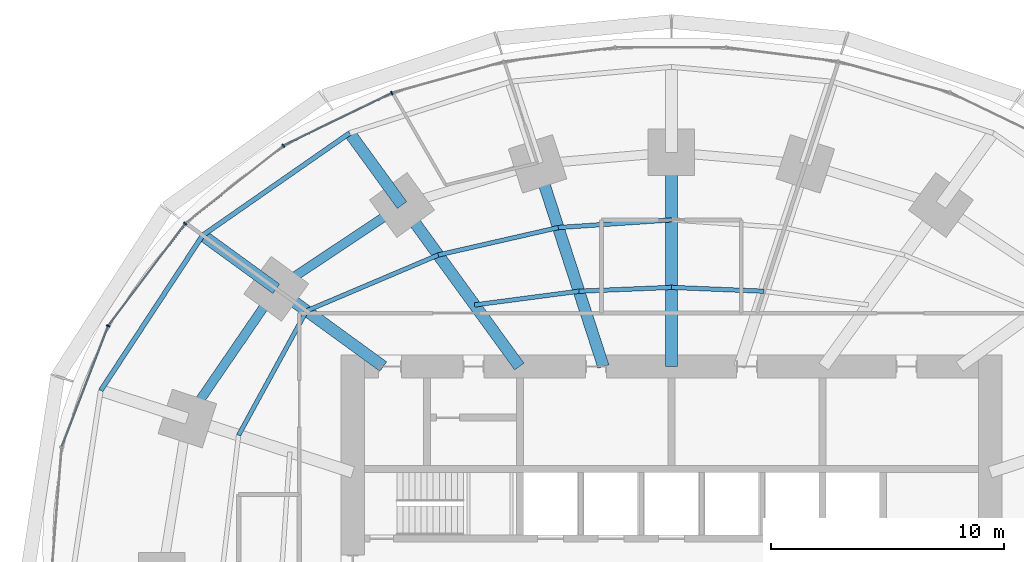
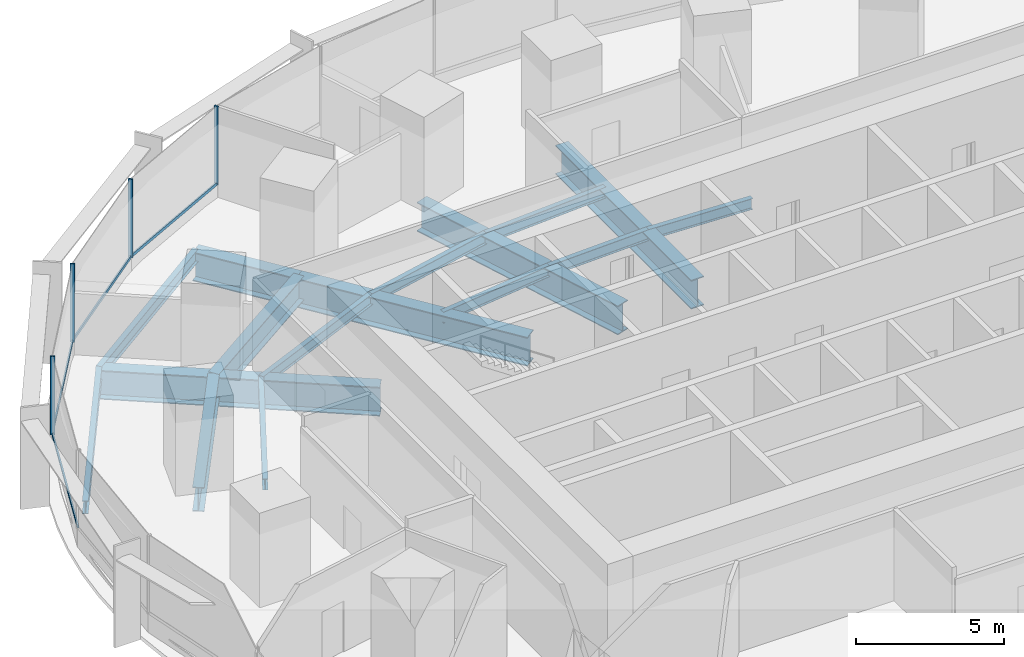
# One storey, part 7 of 15: 17 beams, 8 members, 1 element without a shape of its own.
"""IFC4 building model written with IfcOpenShell, lengths in metres."""

from ifc_helpers import new_model, si_unit, direction, frame, origin, origin_2d, place, context, subcontext, project, spatial, rectangle, i_section, extrude, material, material_profile, profile_set, type_object, element, aggregate, save


model = new_model("IFC4")

# Units and contexts
model_context = context("Model", 3, precision=1e-05, world=origin(), true_north=direction((0.0, 1.0)))
body_context = subcontext(model_context, "Body", "Model", "MODEL_VIEW")
ifc_project = project(units=[si_unit("LENGTHUNIT", "METRE"), si_unit("AREAUNIT", "SQUARE_METRE"), si_unit("VOLUMEUNIT", "CUBIC_METRE"), si_unit("PLANEANGLEUNIT", "RADIAN"), si_unit("MASSUNIT", "GRAM", prefix="KILO")], contexts=[model_context])

# Site, building, storey
site_placement = place(None, origin())
site = spatial("IfcSite", under=ifc_project, at=site_placement, CompositionType="ELEMENT")
building_placement = place(site_placement, origin())
building = spatial("IfcBuilding", under=site, at=building_placement, Name="Marramba Exchange Tower", CompositionType="ELEMENT")
storey_placement = place(building_placement, frame((0.0, 0.0, 74.199951171875)))
storey = spatial("IfcBuildingStorey", under=building, at=storey_placement, Name="L17", CompositionType="ELEMENT", Elevation=74.199951171875)

# Beams
ifc_material_1 = material(Name="Steel AS/NZS 3679.2 grade 300", Category="steel")
ifc_material_profile_1 = material_profile(ifc_material_1, i_section(OverallWidth=0.5, OverallDepth=1.199951171875, WebThickness=0.01611328125, FlangeThickness=0.0400390625, at=origin_2d()), Name="1200WB455")
ifc_profile_set_1 = profile_set([ifc_material_profile_1], Name="Steel AS/NZS 3679.2 grade 300")
beam_type_1 = type_object("IfcBeamType", Name="Cantilever girder 1200WB455", PredefinedType="BEAM", material=ifc_profile_set_1)
beam_1_placement = place(storey_placement, frame((-11.581298828125, 15.9404296875, -0.760009765625), z_axis=(-0.587795827483, 0.809009310944, 0.0), x_axis=(-0.809009310944, -0.587795827483, 0.0)))
element("IfcBeam", 1, at=beam_1_placement, inside=storey, type_object=beam_type_1, Name="Cantilever girder L17 TC08", PredefinedType="BEAM", context=body_context, shape_type="SweptSolid", body=[
    extrude(i_section(OverallWidth=0.5, OverallDepth=1.199951171875, WebThickness=0.01611328125, FlangeThickness=0.0400390625, at=origin_2d()), origin(), (0.0, 0.0, 1.0), 3.82421875),
])
beam_2_placement = place(storey_placement, frame((-16.98583984375, 12.3408203125, -0.760009765625), z_axis=(-0.808987260856, 0.587826174793, 0.0), x_axis=(-0.587826174793, -0.808987260856, 0.0)))
element("IfcBeam", 2, at=beam_2_placement, inside=storey, type_object=beam_type_1, Name="Cantilever girder L17 TC09", PredefinedType="BEAM", context=body_context, shape_type="SweptSolid", body=[
    extrude(i_section(OverallWidth=0.5, OverallDepth=1.199951171875, WebThickness=0.01611328125, FlangeThickness=0.0400390625, at=origin_2d()), origin(), (0.0, 0.0, 1.0), 3.90771484375),
])
ifc_material_2 = material(Name="Steel AS/NZS 3679.1 grade 300", Category="steel")
ifc_material_profile_2 = material_profile(ifc_material_2, i_section(OverallWidth=0.18994140625, OverallDepth=0.4541015625, WebThickness=0.008544921875, FlangeThickness=0.0126953125, FilletRadius=0.011474609375, at=origin_2d()), Name="460UB67.1")
ifc_profile_set_2 = profile_set([ifc_material_profile_2], Name="Steel AS/NZS 3679.1 grade 300")
beam_type_2 = type_object("IfcBeamType", Name="Floor joist 460UB67.1", PredefinedType="JOIST", material=ifc_profile_set_2)
for number, where, z_axis, x_axis, name in (
    (3, (3.975830078125, 12.236083984375, -0.386962890625), (-0.999137002892, 0.041536122257, 0.0), (-0.041536122257, -0.999137002892, 0.0), "Joist L17 bay 05 row 1"),
    (4, (0.0, 12.4013671875, -0.386962890625), (-0.999137002892, -0.041536122257, 0.0), (0.041536122257, -0.999137002892, 0.0), "Joist L17 bay 06 row 1"),
):
    element("IfcBeam", number, at=place(storey_placement, frame(where, z_axis=z_axis, x_axis=x_axis)), inside=storey, type_object=beam_type_2, Name=name, PredefinedType="JOIST", context=body_context, shape_type="SweptSolid", body=[
        extrude(i_section(OverallWidth=0.18994140625, OverallDepth=0.4541015625, WebThickness=0.008544921875, FlangeThickness=0.0126953125, FilletRadius=0.011474609375, at=origin_2d()), origin(), (0.0, 0.0, 1.0), 3.979248046875),
    ])
beam_3_placement = place(storey_placement, frame((0.0, 15.302734375, -0.386962890625), z_axis=(-0.997702652202, -0.067745241816, 0.0), x_axis=(0.067745241816, -0.997702652202, 0.0)))
element("IfcBeam", 5, at=beam_3_placement, inside=storey, type_object=beam_type_2, Name="Joist L17 bay 06 row 2", PredefinedType="JOIST", context=body_context, shape_type="SweptSolid", body=[
    extrude(i_section(OverallWidth=0.18994140625, OverallDepth=0.4541015625, WebThickness=0.008544921875, FlangeThickness=0.0126953125, FilletRadius=0.011474609375, at=origin_2d()), origin(), (0.0, 0.0, 1.0), 4.8759765625),
])
beam_4_placement = place(storey_placement, frame((-3.975830078125, 12.236083984375, -0.386962890625), z_axis=(-0.991480538255, -0.130254912618, 0.0), x_axis=(0.130254912618, -0.991480538255, 0.0)))
element("IfcBeam", 6, at=beam_4_placement, inside=storey, type_object=beam_type_2, Name="Joist L17 bay 07 row 1", PredefinedType="JOIST", context=body_context, shape_type="SweptSolid", body=[
    extrude(i_section(OverallWidth=0.18994140625, OverallDepth=0.4541015625, WebThickness=0.008544921875, FlangeThickness=0.0126953125, FilletRadius=0.011474609375, at=origin_2d()), origin(), (0.0, 0.0, 1.0), 4.524658203125),
])
beam_5_placement = place(storey_placement, frame((-4.86474609375, 14.972412109375, -0.386962890625), z_axis=(-0.974859652292, -0.222819788916, 0.0), x_axis=(0.222819788916, -0.974859652292, 0.0)))
element("IfcBeam", 7, at=beam_5_placement, inside=storey, type_object=beam_type_2, Name="Joist L17 bay 07 row 2", PredefinedType="JOIST", context=body_context, shape_type="SweptSolid", body=[
    extrude(i_section(OverallWidth=0.18994140625, OverallDepth=0.4541015625, WebThickness=0.008544921875, FlangeThickness=0.0126953125, FilletRadius=0.011474609375, at=origin_2d()), origin(), (0.0, 0.0, 1.0), 5.2900390625),
])
beam_6_placement = place(storey_placement, frame((-10.021728515625, 13.793701171875, -0.386962890625), z_axis=(-0.920674336375, -0.390331610738, 0.0), x_axis=(0.390331610738, -0.920674336375, 0.0)))
element("IfcBeam", 8, at=beam_6_placement, inside=storey, type_object=beam_type_2, Name="Joist L17 bay 08 row 2", PredefinedType="JOIST", context=body_context, shape_type="SweptSolid", body=[
    extrude(i_section(OverallWidth=0.18994140625, OverallDepth=0.4541015625, WebThickness=0.008544921875, FlangeThickness=0.0126953125, FilletRadius=0.011474609375, at=origin_2d()), origin(), (0.0, 0.0, 1.0), 6.1484375),
])
beam_7_placement = place(storey_placement, frame((-15.682373046875, 11.393798828125, -0.386962890625), z_axis=(-0.479584443791, -0.877495732909, 0.0), x_axis=(0.877495732909, -0.479584443791, 0.0)))
element("IfcBeam", 9, at=beam_7_placement, inside=storey, type_object=beam_type_2, Name="Joist L17 bay 09 row 2", PredefinedType="JOIST", context=body_context, shape_type="SweptSolid", body=[
    extrude(i_section(OverallWidth=0.18994140625, OverallDepth=0.4541015625, WebThickness=0.008544921875, FlangeThickness=0.0126953125, FilletRadius=0.011474609375, at=origin_2d()), origin(), (0.0, 0.0, 1.0), 6.094970703125),
])
ifc_material_profile_3 = material_profile(ifc_material_1, i_section(OverallWidth=0.5, OverallDepth=1.199951171875, WebThickness=0.01611328125, FlangeThickness=0.0400390625, at=origin_2d()), Name="1200WB455")
ifc_profile_set_3 = profile_set([ifc_material_profile_3], Name="Steel AS/NZS 3679.2 grade 300")
beam_type_3 = type_object("IfcBeamType", Name="Radial girder 1200WB455", PredefinedType="BEAM", material=ifc_profile_set_3)
beam_8_placement = place(storey_placement, frame((0.0, 9.0, -0.760009765625), z_axis=(0.0, 1.0, 0.0), x_axis=(-1.0, 0.0, 0.0)))
element("IfcBeam", 10, at=beam_8_placement, inside=storey, type_object=beam_type_3, Name="Radial girder L17 TC06", PredefinedType="BEAM", context=body_context, shape_type="SweptSolid", body=[
    extrude(i_section(OverallWidth=0.5, OverallDepth=1.199951171875, WebThickness=0.01611328125, FlangeThickness=0.0400390625, at=origin_2d()), origin(), (0.0, 0.0, 1.0), 9.2041015625),
])
beam_9_placement = place(storey_placement, frame((-2.92431640625, 9.0, -0.760009765625), z_axis=(-0.309019754162, 0.951055619582, 0.0), x_axis=(-0.951055619582, -0.309019754162, 0.0)))
element("IfcBeam", 11, at=beam_9_placement, inside=storey, type_object=beam_type_3, Name="Radial girder L17 TC07", PredefinedType="BEAM", context=body_context, shape_type="SweptSolid", body=[
    extrude(i_section(OverallWidth=0.5, OverallDepth=1.199951171875, WebThickness=0.01611328125, FlangeThickness=0.0400390625, at=origin_2d()), origin(), (0.0, 0.0, 1.0), 9.15673828125),
])
beam_10_placement = place(storey_placement, frame((-6.538818359375, 9.0, -0.760009765625), z_axis=(-0.587782439969, 0.80901903764, 0.0), x_axis=(-0.80901903764, -0.587782439969, 0.0)))
element("IfcBeam", 12, at=beam_10_placement, inside=storey, type_object=beam_type_3, Name="Radial girder L17 TC08", PredefinedType="BEAM", context=body_context, shape_type="SweptSolid", body=[
    extrude(i_section(OverallWidth=0.5, OverallDepth=1.199951171875, WebThickness=0.01611328125, FlangeThickness=0.0400390625, at=origin_2d()), origin(), (0.0, 0.0, 1.0), 8.578857421875),
])
beam_11_placement = place(storey_placement, frame((-12.387451171875, 9.0, -0.760009765625), z_axis=(-0.809025746925, 0.587773205252, 0.0), x_axis=(-0.587773205252, -0.809025746925, 0.0)))
element("IfcBeam", 13, at=beam_11_placement, inside=storey, type_object=beam_type_3, Name="Radial girder L17 TC09", PredefinedType="BEAM", context=body_context, shape_type="SweptSolid", body=[
    extrude(i_section(OverallWidth=0.5, OverallDepth=1.199951171875, WebThickness=0.01611328125, FlangeThickness=0.0400390625, at=origin_2d()), origin(), (0.0, 0.0, 1.0), 5.683837890625),
])
ifc_material_profile_4 = material_profile(ifc_material_1, i_section(OverallWidth=0.39990234375, OverallDepth=1.0, WebThickness=0.01611328125, FlangeThickness=0.031982421875, at=origin_2d()), Name="1000WB322")
ifc_profile_set_4 = profile_set([ifc_material_profile_4], Name="Steel AS/NZS 3679.2 grade 300")
beam_type_4 = type_object("IfcBeamType", Name="Ring beam 1000WB322", PredefinedType="SPANDREL", material=ifc_profile_set_4)
beam_12_placement = place(storey_placement, frame((-11.581298828125, 15.9404296875, -0.659912109375), z_axis=(-0.832293151443, -0.554335737673, 0.0), x_axis=(0.554335737673, -0.832293151443, 0.0)))
element("IfcBeam", 14, at=beam_12_placement, inside=storey, type_object=beam_type_4, Name="Ring beam L17 TC08-TC09", PredefinedType="SPANDREL", context=body_context, shape_type="SweptSolid", body=[
    extrude(i_section(OverallWidth=0.39990234375, OverallDepth=1.0, WebThickness=0.01611328125, FlangeThickness=0.031982421875, at=origin_2d()), origin(), (0.0, 0.0, 1.0), 6.49365234375),
])
beam_13_placement = place(storey_placement, frame((-16.98583984375, 12.3408203125, -0.659912109375), z_axis=(-0.56516002054, -0.824981303535, 0.0), x_axis=(0.824981303535, -0.56516002054, 0.0)))
element("IfcBeam", 15, at=beam_13_placement, inside=storey, type_object=beam_type_4, Name="Ring beam L17 TC09-TC10", PredefinedType="SPANDREL", context=body_context, shape_type="SweptSolid", body=[
    extrude(i_section(OverallWidth=0.39990234375, OverallDepth=1.0, WebThickness=0.01611328125, FlangeThickness=0.031982421875, at=origin_2d()), origin(), (0.0, 0.0, 1.0), 6.763671875),
])
ifc_material_profile_5 = material_profile(ifc_material_2, i_section(OverallWidth=0.208984375, OverallDepth=0.528076171875, WebThickness=0.009521484375, FlangeThickness=0.01318359375, FilletRadius=0.013916015625, at=origin_2d()), Name="530UB82.0")
ifc_profile_set_5 = profile_set([ifc_material_profile_5], Name="Steel AS/NZS 3679.1 grade 300")
beam_type_5 = type_object("IfcBeamType", Name="Slab edge beam 530UB82.0", PredefinedType="SPANDREL", material=ifc_profile_set_5)
beam_14_placement = place(storey_placement, frame((-13.8291015625, 19.0341796875, -0.424072265625), z_axis=(-0.820842487183, -0.571154629882, 0.0), x_axis=(0.571154629882, -0.820842487183, 0.0)))
element("IfcBeam", 16, at=beam_14_placement, inside=storey, type_object=beam_type_5, Name="Slab edge beam L17 TC08-TC09", PredefinedType="SPANDREL", context=body_context, shape_type="SweptSolid", body=[
    extrude(i_section(OverallWidth=0.208984375, OverallDepth=0.528076171875, WebThickness=0.009521484375, FlangeThickness=0.01318359375, FilletRadius=0.013916015625, at=origin_2d()), origin(), (0.0, 0.0, 1.0), 7.697021484375),
])
beam_15_placement = place(storey_placement, frame((-20.147216796875, 14.637939453125, -0.424072265625), z_axis=(-0.549123544095, -0.835741188001, 0.0), x_axis=(0.835741188001, -0.549123544095, 0.0)))
element("IfcBeam", 17, at=beam_15_placement, inside=storey, type_object=beam_type_5, Name="Slab edge beam L17 TC09-TC10", PredefinedType="SPANDREL", context=body_context, shape_type="SweptSolid", body=[
    extrude(i_section(OverallWidth=0.208984375, OverallDepth=0.528076171875, WebThickness=0.009521484375, FlangeThickness=0.01318359375, FilletRadius=0.013916015625, at=origin_2d()), origin(), (0.0, 0.0, 1.0), 7.978759765625),
])

# Curtain wall, members
ifc_material_3 = material(Name="Aluminium framing, bronze anodised", Category="aluminium")
curtain_wall_type = type_object("IfcCurtainWallType", Name="Trading floor ribbon curtain wall", PredefinedType="USERDEFINED", material=ifc_material_3)
curtain_wall_placement = place(storey_placement, origin())
curtain_wall = element("IfcCurtainWall", 18, at=curtain_wall_placement, inside=storey, type_object=curtain_wall_type, Name="Curtain wall CW3 L17 F11-F15", ObjectType="RIBBON CURTAIN WALL", PredefinedType="USERDEFINED")
ifc_material_4 = material(Name="Aluminium mullion, bronze anodised", Category="aluminium")
ifc_material_profile_6 = material_profile(ifc_material_4, rectangle(XDim=0.159912109375, YDim=0.06005859375, at=origin_2d()), Name="CW3 mullion 60x160")
ifc_profile_set_6 = profile_set([ifc_material_profile_6], Name="Aluminium mullion, bronze anodised")
member_type_1 = type_object("IfcMemberType", Name="Trading floor ribbon curtain wall mullion", PredefinedType="MULLION", material=ifc_profile_set_6)
member_1_placement = place(storey_placement, frame((-12.016357421875, 20.7529296875, 0.800048828125), z_axis=(0.0, 0.0, 1.0), x_axis=(0.43596538664, -0.899963433508, 0.0)))
member_1 = element("IfcMember", 19, at=member_1_placement, type_object=member_type_1, Name="CW3 mullion 1", PredefinedType="MULLION", context=body_context, shape_type="SweptSolid", body=[
    extrude(rectangle(XDim=0.159912109375, YDim=0.06005859375, at=origin_2d()), origin(), (0.0, 0.0, 1.0), 3.239990234375),
])
member_2_placement = place(storey_placement, frame((-16.683837890625, 18.484619140625, 0.800048828125), z_axis=(0.0, 0.0, 1.0), x_axis=(0.620649730166, -0.784087949432, 0.0)))
member_2 = element("IfcMember", 20, at=member_2_placement, type_object=member_type_1, Name="CW3 mullion 1", PredefinedType="MULLION", context=body_context, shape_type="SweptSolid", body=[
    extrude(rectangle(XDim=0.159912109375, YDim=0.06005859375, at=origin_2d()), origin(), (0.0, 0.0, 1.0), 3.239990234375),
])
member_3_placement = place(storey_placement, frame((-20.8935546875, 15.142822265625, 0.800048828125), z_axis=(0.0, 0.0, 1.0), x_axis=(0.797748922445, -0.602989765036, 0.0)))
member_3 = element("IfcMember", 21, at=member_3_placement, type_object=member_type_1, Name="CW3 mullion 1", PredefinedType="MULLION", context=body_context, shape_type="SweptSolid", body=[
    extrude(rectangle(XDim=0.159912109375, YDim=0.06005859375, at=origin_2d()), origin(), (0.0, 0.0, 1.0), 3.239990234375),
])
member_4_placement = place(storey_placement, frame((-24.207275390625, 10.7451171875, 0.800048828125), z_axis=(0.0, 0.0, 1.0), x_axis=(0.933135256626, -0.359525510698, 0.0)))
member_4 = element("IfcMember", 22, at=member_4_placement, type_object=member_type_1, Name="CW3 mullion 1", PredefinedType="MULLION", context=body_context, shape_type="SweptSolid", body=[
    extrude(rectangle(XDim=0.159912109375, YDim=0.06005859375, at=origin_2d()), origin(), (0.0, 0.0, 1.0), 3.239990234375),
])
ifc_material_5 = material(Name="Aluminium transom, bronze anodised", Category="aluminium")
ifc_material_profile_7 = material_profile(ifc_material_5, rectangle(XDim=0.06005859375, YDim=0.1201171875, at=origin_2d()), Name="CW3 transom 60x120")
ifc_profile_set_7 = profile_set([ifc_material_profile_7], Name="Aluminium transom, bronze anodised")
member_type_2 = type_object("IfcMemberType", Name="Trading floor ribbon curtain wall transom", PredefinedType="USERDEFINED", material=ifc_profile_set_7)
member_5_placement = place(storey_placement, frame((-12.043212890625, 20.739990234375, 0.830078125), z_axis=(-0.89995331781, -0.43598626786, 0.0), x_axis=(0.43598626786, -0.89995331781, 0.0)))
member_5 = element("IfcMember", 23, at=member_5_placement, type_object=member_type_2, Name="CW3 sill transom", ObjectType="TRANSOM", PredefinedType="USERDEFINED", context=body_context, shape_type="SweptSolid", body=[
    extrude(rectangle(XDim=0.06005859375, YDim=0.1201171875, at=origin_2d()), origin(), (0.0, 0.0, 1.0), 5.13037109375),
])
member_6_placement = place(storey_placement, frame((-16.70751953125, 18.466064453125, 0.830078125), z_axis=(-0.784075625018, -0.620665299701, 0.0), x_axis=(0.620665299701, -0.784075625018, 0.0)))
member_6 = element("IfcMember", 24, at=member_6_placement, type_object=member_type_2, Name="CW3 sill transom", ObjectType="TRANSOM", PredefinedType="USERDEFINED", context=body_context, shape_type="SweptSolid", body=[
    extrude(rectangle(XDim=0.06005859375, YDim=0.1201171875, at=origin_2d()), origin(), (0.0, 0.0, 1.0), 5.315673828125),
])
member_7_placement = place(storey_placement, frame((-20.91162109375, 15.118896484375, 0.830078125), z_axis=(-0.602985866158, -0.797751869452, 0.0), x_axis=(0.797751869452, -0.602985866158, 0.0)))
member_7 = element("IfcMember", 25, at=member_7_placement, type_object=member_type_2, Name="CW3 sill transom", ObjectType="TRANSOM", PredefinedType="USERDEFINED", context=body_context, shape_type="SweptSolid", body=[
    extrude(rectangle(XDim=0.06005859375, YDim=0.1201171875, at=origin_2d()), origin(), (0.0, 0.0, 1.0), 5.44775390625),
])
member_8_placement = place(storey_placement, frame((-24.218017578125, 10.717041015625, 0.830078125), z_axis=(-0.359533581349, -0.933132147063, 0.0), x_axis=(0.933132147063, -0.359533581349, 0.0)))
member_8 = element("IfcMember", 26, at=member_8_placement, type_object=member_type_2, Name="CW3 sill transom", ObjectType="TRANSOM", PredefinedType="USERDEFINED", context=body_context, shape_type="SweptSolid", body=[
    extrude(rectangle(XDim=0.06005859375, YDim=0.1201171875, at=origin_2d()), origin(), (0.0, 0.0, 1.0), 5.5166015625),
])
aggregate(curtain_wall, [member_1, member_5, member_2, member_6, member_3, member_7, member_4, member_8])

save(model, "model.ifc")
